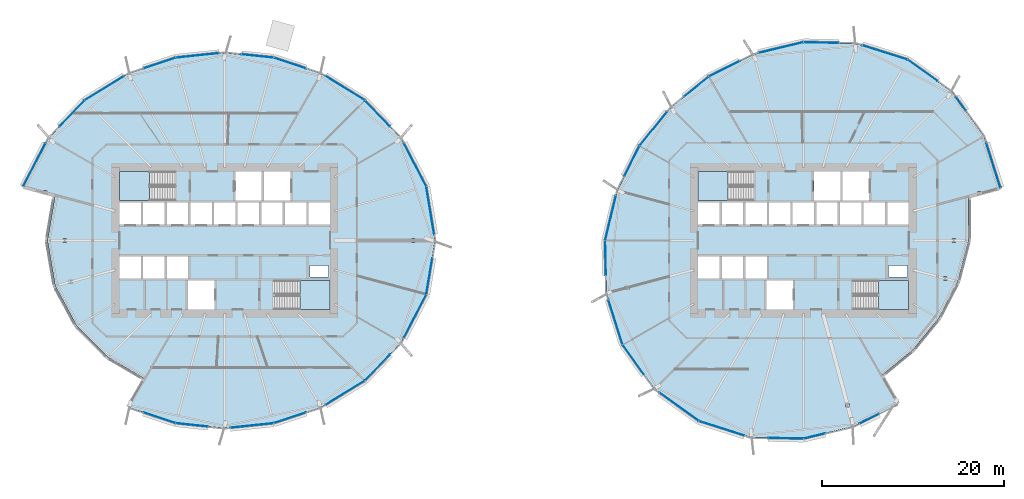
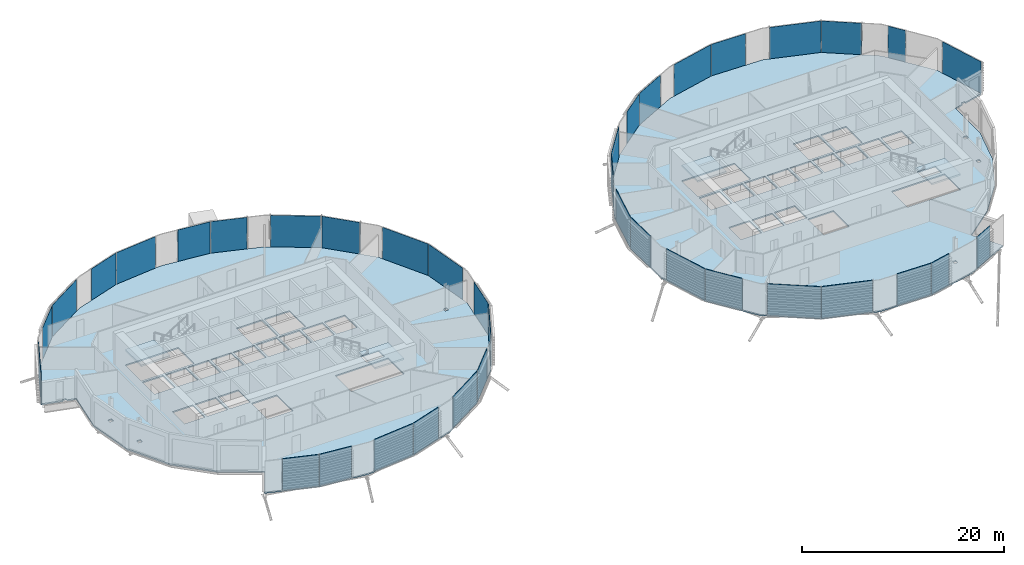
# One storey, part 20 of 38: 38 plates, 6 slabs, 6 elements without a shape of their own.
"""IFC4 building model written with IfcOpenShell, lengths in metres."""

from ifc_helpers import new_model, si_unit, direction, frame, origin, origin_2d, place, context, subcontext, project, spatial, polyline, rectangle, outline, extrude, material, layer, layer_set, type_object, element, aggregate, save


model = new_model("IFC4")

# Units and contexts
model_context = context("Model", 3, precision=1e-05, world=origin(), true_north=direction((0.0, 1.0)))
body_context = subcontext(model_context, "Body", "Model", "MODEL_VIEW")
ifc_project = project(units=[si_unit("LENGTHUNIT", "METRE"), si_unit("AREAUNIT", "SQUARE_METRE"), si_unit("VOLUMEUNIT", "CUBIC_METRE"), si_unit("PLANEANGLEUNIT", "RADIAN"), si_unit("MASSUNIT", "GRAM", prefix="KILO")], contexts=[model_context])

# Site, building, storey
site_placement = place(None, origin())
site = spatial("IfcSite", under=ifc_project, at=site_placement, CompositionType="ELEMENT")
building_placement = place(site_placement, origin())
building = spatial("IfcBuilding", under=site, at=building_placement, Name="Rimbun Link Towers", CompositionType="ELEMENT")
storey_placement = place(building_placement, frame((0.0, 0.0, 56.60009765625)))
storey = spatial("IfcBuildingStorey", under=building, at=storey_placement, Name="L13", CompositionType="ELEMENT", Elevation=56.60009765625)

# Slabs
ifc_material_1 = material(Name="Concrete C35/45", Category="concrete")
ifc_layer_1 = layer(ifc_material_1, 0.159912109375)
ifc_layer_set_1 = layer_set([ifc_layer_1], Name="COMPOSITE FLOOR 160")
slab_type_1 = type_object("IfcSlabType", Name="COMPOSITE FLOOR 160", PredefinedType="FLOOR", material=ifc_layer_set_1)
slab_1_placement = place(storey_placement, frame((0.0, 0.0, -0.16015625)))
element("IfcSlab", 1, at=slab_1_placement, inside=storey, type_object=slab_type_1, Name="Floor slab T1 L13", PredefinedType="FLOOR", context=body_context, shape_type="SweptSolid", body=[
    extrude(outline(polyline([(-53.847412109375, 5.9208984375), (-51.12353515625, 11.185302734375), (-47.115478515625, 15.365478515625), (-42.321044921875, 18.3095703125), (-37.117919921875, 20.03369140625), (-31.75, 20.59912109375), (-26.382080078125, 20.03369140625), (-21.178955078125, 18.3095703125), (-16.384521484375, 15.365478515625), (-12.37646484375, 11.185302734375), (-9.652587890625, 5.9208984375), (-8.678955078125, 0.0), (-9.652587890625, -5.9208984375), (-12.37646484375, -11.185302734375), (-16.384521484375, -15.365478515625), (-21.178955078125, -18.3095703125), (-26.382080078125, -20.03369140625), (-31.75, -20.59912109375), (-37.117919921875, -20.03369140625), (-42.321044921875, -18.3095703125), (-40.52099609375, -15.19189453125), (-44.570068359375, -12.820068359375), (-48.005859375, -9.38525390625), (-50.3701171875, -4.9892578125), (-51.220947265625, 0.0), (-50.3701171875, 4.9892578125), (-51.259033203125, 5.227294921875), (-51.259033203125, 5.477783203125), (-51.658203125, 5.477783203125), (-51.658203125, 5.33447265625), (-53.847412109375, 5.9208984375)]), holes=[polyline([(-32.89990234375, -7.550048828125), (-32.89990234375, -4.39990234375), (-35.800048828125, -4.39990234375), (-35.800048828125, -7.550048828125), (-32.89990234375, -7.550048828125)]), polyline([(-48.450927734375, -4.72509765625), (-48.450927734375, -4.33154296875), (-48.849853515625, -4.33154296875), (-48.849853515625, -4.72509765625), (-48.450927734375, -4.72509765625)]), polyline([(-40.95556640625, -4.14990234375), (-40.95556640625, -1.75), (-43.300048828125, -1.75), (-43.300048828125, -4.14990234375), (-40.95556640625, -4.14990234375)]), polyline([(-40.70556640625, -4.14990234375), (-38.361083984375, -4.14990234375), (-38.361083984375, -1.75), (-40.70556640625, -1.75), (-40.70556640625, -4.14990234375)]), polyline([(-38.111083984375, -4.14990234375), (-35.7666015625, -4.14990234375), (-35.7666015625, -1.75), (-38.111083984375, -1.75), (-38.111083984375, -4.14990234375)]), polyline([(-49.11279296875, -0.19677734375), (-49.11279296875, 0.19677734375), (-49.51171875, 0.19677734375), (-49.51171875, -0.19677734375), (-49.11279296875, -0.19677734375)]), polyline([(-43.300048828125, 1.75), (-40.95556640625, 1.75), (-40.95556640625, 4.14990234375), (-43.300048828125, 4.14990234375), (-43.300048828125, 1.75)]), polyline([(-40.70556640625, 1.75), (-38.361083984375, 1.75), (-38.361083984375, 4.14990234375), (-40.70556640625, 4.14990234375), (-40.70556640625, 1.75)]), polyline([(-35.7666015625, 1.75), (-35.7666015625, 4.14990234375), (-38.111083984375, 4.14990234375), (-38.111083984375, 1.75), (-35.7666015625, 1.75)]), polyline([(-43.300048828125, 4.39990234375), (-37.260009765625, 4.39990234375), (-37.260009765625, 7.550048828125), (-43.300048828125, 7.550048828125), (-43.300048828125, 4.39990234375)]), polyline([(-20.199951171875, -7.550048828125), (-20.199951171875, -4.39990234375), (-26.239990234375, -4.39990234375), (-26.239990234375, -7.550048828125), (-20.199951171875, -7.550048828125)]), polyline([(-22.394287109375, -4.0), (-20.35009765625, -4.0), (-20.35009765625, -2.75), (-22.394287109375, -2.75), (-22.394287109375, -4.0)]), polyline([(-10.85791015625, -0.19677734375), (-10.85791015625, 0.19677734375), (-11.2568359375, 0.19677734375), (-11.2568359375, -0.19677734375), (-10.85791015625, -0.19677734375)]), polyline([(-35.5166015625, 1.75), (-33.172119140625, 1.75), (-33.172119140625, 4.14990234375), (-35.5166015625, 4.14990234375), (-35.5166015625, 1.75)]), polyline([(-32.922119140625, 1.75), (-30.577880859375, 1.75), (-30.577880859375, 4.14990234375), (-32.922119140625, 4.14990234375), (-32.922119140625, 1.75)]), polyline([(-27.9833984375, 1.75), (-27.9833984375, 4.14990234375), (-30.327880859375, 4.14990234375), (-30.327880859375, 1.75), (-27.9833984375, 1.75)]), polyline([(-27.7333984375, 1.75), (-25.388916015625, 1.75), (-25.388916015625, 4.14990234375), (-27.7333984375, 4.14990234375), (-27.7333984375, 1.75)]), polyline([(-25.138916015625, 1.75), (-22.79443359375, 1.75), (-22.79443359375, 4.14990234375), (-25.138916015625, 4.14990234375), (-25.138916015625, 1.75)]), polyline([(-20.199951171875, 1.75), (-20.199951171875, 4.14990234375), (-22.54443359375, 4.14990234375), (-22.54443359375, 1.75), (-20.199951171875, 1.75)]), polyline([(-30.60009765625, 4.39990234375), (-27.699951171875, 4.39990234375), (-27.699951171875, 7.550048828125), (-30.60009765625, 7.550048828125), (-30.60009765625, 4.39990234375)]), polyline([(-27.449951171875, 4.39990234375), (-24.550048828125, 4.39990234375), (-24.550048828125, 7.550048828125), (-27.449951171875, 7.550048828125), (-27.449951171875, 4.39990234375)])]), origin(), (0.0, 0.0, 1.0), 0.16015625),
])
slab_2_placement = place(storey_placement, frame((0.0, 0.0, -0.16015625)))
element("IfcSlab", 2, at=slab_2_placement, inside=storey, type_object=slab_type_1, Name="Floor slab T2 L13", PredefinedType="FLOOR", context=body_context, shape_type="SweptSolid", body=[
    extrude(outline(polyline([(49.880859375, 4.858154296875), (49.88037109375, 0.0), (48.6943359375, -4.540283203125), (46.593994140625, -8.5703125), (43.770263671875, -12.020263671875), (40.3203125, -14.843994140625), (42.1201171875, -17.961669921875), (37.221923828125, -20.421630859375), (31.75, -21.730224609375), (25.960205078125, -21.6083984375), (20.3115234375, -19.81201171875), (15.436279296875, -16.313720703125), (11.93798828125, -11.4384765625), (10.1416015625, -5.789794921875), (10.019775390625, 0.0), (11.328369140625, 5.471923828125), (13.788330078125, 10.3701171875), (17.184326171875, 14.565673828125), (21.3798828125, 17.961669921875), (26.278076171875, 20.421630859375), (31.75, 21.730224609375), (37.539794921875, 21.6083984375), (43.1884765625, 19.81201171875), (48.063720703125, 16.313720703125), (51.56201171875, 11.4384765625), (53.3583984375, 5.789794921875), (51.240234375, 5.222412109375), (51.240234375, 5.36572265625), (50.84130859375, 5.36572265625), (50.84130859375, 5.115478515625), (49.880859375, 4.858154296875)]), holes=[polyline([(30.60009765625, -7.550048828125), (30.60009765625, -4.39990234375), (27.699951171875, -4.39990234375), (27.699951171875, -7.550048828125), (30.60009765625, -7.550048828125)]), polyline([(12.59130859375, -5.3837890625), (12.59130859375, -4.990234375), (12.1923828125, -4.990234375), (12.1923828125, -5.3837890625), (12.59130859375, -5.3837890625)]), polyline([(22.54443359375, -4.14990234375), (22.54443359375, -1.75), (20.199951171875, -1.75), (20.199951171875, -4.14990234375), (22.54443359375, -4.14990234375)]), polyline([(22.79443359375, -4.14990234375), (25.138916015625, -4.14990234375), (25.138916015625, -1.75), (22.79443359375, -1.75), (22.79443359375, -4.14990234375)]), polyline([(25.388916015625, -4.14990234375), (27.7333984375, -4.14990234375), (27.7333984375, -1.75), (25.388916015625, -1.75), (25.388916015625, -4.14990234375)]), polyline([(22.54443359375, 1.75), (22.54443359375, 4.14990234375), (20.199951171875, 4.14990234375), (20.199951171875, 1.75), (22.54443359375, 1.75)]), polyline([(22.79443359375, 1.75), (25.138916015625, 1.75), (25.138916015625, 4.14990234375), (22.79443359375, 4.14990234375), (22.79443359375, 1.75)]), polyline([(25.388916015625, 1.75), (27.7333984375, 1.75), (27.7333984375, 4.14990234375), (25.388916015625, 4.14990234375), (25.388916015625, 1.75)]), polyline([(30.327880859375, 1.75), (30.327880859375, 4.14990234375), (27.9833984375, 4.14990234375), (27.9833984375, 1.75), (30.327880859375, 1.75)]), polyline([(30.577880859375, 1.75), (32.922119140625, 1.75), (32.922119140625, 4.14990234375), (30.577880859375, 4.14990234375), (30.577880859375, 1.75)]), polyline([(33.172119140625, 1.75), (35.5166015625, 1.75), (35.5166015625, 4.14990234375), (33.172119140625, 4.14990234375), (33.172119140625, 1.75)]), polyline([(26.239990234375, 4.39990234375), (26.239990234375, 7.550048828125), (20.199951171875, 7.550048828125), (20.199951171875, 4.39990234375), (26.239990234375, 4.39990234375)]), polyline([(36.39453125, -18.27490234375), (36.79345703125, -18.27490234375), (36.79345703125, -17.88134765625), (36.39453125, -17.88134765625), (36.39453125, -18.27490234375)]), polyline([(37.260009765625, -7.550048828125), (43.300048828125, -7.550048828125), (43.300048828125, -4.39990234375), (37.260009765625, -4.39990234375), (37.260009765625, -7.550048828125)]), polyline([(47.509765625, -4.3662109375), (47.509765625, -3.972412109375), (47.110595703125, -3.972412109375), (47.110595703125, -4.3662109375), (47.509765625, -4.3662109375)]), polyline([(41.105712890625, -2.75), (41.105712890625, -4.0), (43.14990234375, -4.0), (43.14990234375, -2.75), (41.105712890625, -2.75)]), polyline([(48.03564453125, -0.19677734375), (48.434814453125, -0.19677734375), (48.434814453125, 0.19677734375), (48.03564453125, 0.19677734375), (48.03564453125, -0.19677734375)]), polyline([(38.111083984375, 1.75), (38.111083984375, 4.14990234375), (35.7666015625, 4.14990234375), (35.7666015625, 1.75), (38.111083984375, 1.75)]), polyline([(38.361083984375, 1.75), (40.70556640625, 1.75), (40.70556640625, 4.14990234375), (38.361083984375, 4.14990234375), (38.361083984375, 1.75)]), polyline([(40.95556640625, 1.75), (43.300048828125, 1.75), (43.300048828125, 4.14990234375), (40.95556640625, 4.14990234375), (40.95556640625, 1.75)]), polyline([(32.89990234375, 4.39990234375), (35.800048828125, 4.39990234375), (35.800048828125, 7.550048828125), (32.89990234375, 7.550048828125), (32.89990234375, 4.39990234375)]), polyline([(36.050048828125, 4.39990234375), (38.949951171875, 4.39990234375), (38.949951171875, 7.550048828125), (36.050048828125, 7.550048828125), (36.050048828125, 4.39990234375)])]), origin(), (0.0, 0.0, 1.0), 0.16015625),
])

# Curtain wall, plates
ifc_material_2 = material(Name="Aluminium 6063-T6 and low-iron glass", Category="aluminium")
curtain_wall_type = type_object("IfcCurtainWallType", Name="CW1 unitised vision wall", PredefinedType="NOTDEFINED", material=ifc_material_2)
curtain_wall_1_placement = place(storey_placement, origin())
curtain_wall_1 = element("IfcCurtainWall", 3, at=curtain_wall_1_placement, inside=storey, type_object=curtain_wall_type, Name="CW1 L13 T1", PredefinedType="NOTDEFINED")
ifc_material_3 = material(Name="Low-iron glass, laminated low-e unit", Category="glass")
ifc_layer_2 = layer(ifc_material_3, 0.028076171875)
ifc_layer_set_2 = layer_set([ifc_layer_2], Name="CW1 panel Low-iron glass 28")
plate_type = type_object("IfcPlateType", Name="CW1 panel Low-iron glass 28", PredefinedType="CURTAIN_PANEL", material=ifc_layer_set_2)
plate_1_placement = place(storey_placement, frame((-9.204833984375, 3.283447265625, 0.0), z_axis=(0.0, 0.0, 1.0), x_axis=(0.162269061749, -0.986746548815, 0.0)))
plate_1 = element("IfcPlate", 4, at=plate_1_placement, type_object=plate_type, Name="CW1 panel", PredefinedType="CURTAIN_PANEL", context=body_context, shape_type="SweptSolid", body=[
    extrude(rectangle(XDim=5.310546875, YDim=0.028076171875, at=origin_2d()), origin(), (0.0, 0.0, 1.0), 3.800048828125),
])
plate_2_placement = place(storey_placement, frame((-10.875732421875, 8.3154296875, 0.0), z_axis=(0.0, 0.0, 1.0), x_axis=(0.459540871589, -0.888156623203, 0.0)))
plate_2 = element("IfcPlate", 5, at=plate_2_placement, type_object=plate_type, Name="CW1 panel", PredefinedType="CURTAIN_PANEL", context=body_context, shape_type="SweptSolid", body=[
    extrude(rectangle(XDim=5.337158203125, YDim=0.028076171875, at=origin_2d()), origin(), (0.0, 0.0, 1.0), 3.800048828125),
])
plate_3_placement = place(storey_placement, frame((-14.9931640625, 13.934814453125, 0.0), z_axis=(0.0, 0.0, 1.0), x_axis=(0.692065488922, -0.721834717261, 0.0)))
plate_3 = element("IfcPlate", 6, at=plate_3_placement, type_object=plate_type, Name="CW1 panel", PredefinedType="CURTAIN_PANEL", context=body_context, shape_type="SweptSolid", body=[
    extrude(rectangle(XDim=3.951171875, YDim=0.028076171875, at=origin_2d()), origin(), (0.0, 0.0, 1.0), 3.800048828125),
])
plate_4_placement = place(storey_placement, frame((-18.5400390625, 16.70556640625, 0.0), z_axis=(0.0, 0.0, 1.0), x_axis=(0.852183322336, -0.523243332621, 0.0)))
plate_4 = element("IfcPlate", 7, at=plate_4_placement, type_object=plate_type, Name="CW1 panel", PredefinedType="CURTAIN_PANEL", context=body_context, shape_type="SweptSolid", body=[
    extrude(rectangle(XDim=5.0361328125, YDim=0.028076171875, at=origin_2d()), origin(), (0.0, 0.0, 1.0), 3.800048828125),
])
plate_5_placement = place(storey_placement, frame((-24.606689453125, 19.460205078125, 0.0), z_axis=(0.0, 0.0, 1.0), x_axis=(0.949236457235, -0.314563424855, 0.0)))
plate_5 = element("IfcPlate", 8, at=plate_5_placement, type_object=plate_type, Name="CW1 panel", PredefinedType="CURTAIN_PANEL", context=body_context, shape_type="SweptSolid", body=[
    extrude(rectangle(XDim=3.691162109375, YDim=0.028076171875, at=origin_2d()), origin(), (0.0, 0.0, 1.0), 3.800048828125),
])
plate_6_placement = place(storey_placement, frame((-28.14453125, 20.2333984375, 0.0), z_axis=(0.0, 0.0, 1.0), x_axis=(0.994498750915, -0.104748434017, 0.0)))
plate_6 = element("IfcPlate", 9, at=plate_6_placement, type_object=plate_type, Name="CW1 panel", PredefinedType="CURTAIN_PANEL", context=body_context, shape_type="SweptSolid", body=[
    extrude(rectangle(XDim=3.5078125, YDim=0.028076171875, at=origin_2d()), origin(), (0.0, 0.0, 1.0), 3.800048828125),
])
plate_7_placement = place(storey_placement, frame((-34.73388671875, 20.298828125, 0.0), z_axis=(0.0, 0.0, 1.0), x_axis=(0.994498750915, 0.104748434017, 0.0)))
plate_7 = element("IfcPlate", 10, at=plate_7_placement, type_object=plate_type, Name="CW1 panel", PredefinedType="CURTAIN_PANEL", context=body_context, shape_type="SweptSolid", body=[
    extrude(rectangle(XDim=4.7578125, YDim=0.028076171875, at=origin_2d()), origin(), (0.0, 0.0, 1.0), 3.800048828125),
])
plate_8_placement = place(storey_placement, frame((-38.893310546875, 19.460205078125, 0.0), z_axis=(0.0, 0.0, 1.0), x_axis=(0.949236457235, 0.314563424855, 0.0)))
plate_8 = element("IfcPlate", 11, at=plate_8_placement, type_object=plate_type, Name="CW1 panel", PredefinedType="CURTAIN_PANEL", context=body_context, shape_type="SweptSolid", body=[
    extrude(rectangle(XDim=3.691162109375, YDim=0.028076171875, at=origin_2d()), origin(), (0.0, 0.0, 1.0), 3.800048828125),
])
plate_9_placement = place(storey_placement, frame((-44.9599609375, 16.70556640625, 0.0), z_axis=(0.0, 0.0, 1.0), x_axis=(0.852183322336, 0.523243332621, 0.0)))
plate_9 = element("IfcPlate", 12, at=plate_9_placement, type_object=plate_type, Name="CW1 panel", PredefinedType="CURTAIN_PANEL", context=body_context, shape_type="SweptSolid", body=[
    extrude(rectangle(XDim=5.0361328125, YDim=0.028076171875, at=origin_2d()), origin(), (0.0, 0.0, 1.0), 3.800048828125),
])
plate_10_placement = place(storey_placement, frame((-48.5068359375, 13.934814453125, 0.0), z_axis=(0.0, 0.0, 1.0), x_axis=(0.692065488922, 0.721834717261, 0.0)))
plate_10 = element("IfcPlate", 13, at=plate_10_placement, type_object=plate_type, Name="CW1 panel", PredefinedType="CURTAIN_PANEL", context=body_context, shape_type="SweptSolid", body=[
    extrude(rectangle(XDim=3.951171875, YDim=0.028076171875, at=origin_2d()), origin(), (0.0, 0.0, 1.0), 3.800048828125),
])
plate_11_placement = place(storey_placement, frame((-52.6357421875, 8.293212890625, 0.0), z_axis=(0.0, 0.0, 1.0), x_axis=(0.459540871589, 0.888156623203, 0.0)))
plate_11 = element("IfcPlate", 14, at=plate_11_placement, type_object=plate_type, Name="CW1 panel", PredefinedType="CURTAIN_PANEL", context=body_context, shape_type="SweptSolid", body=[
    extrude(rectangle(XDim=5.287109375, YDim=0.028076171875, at=origin_2d()), origin(), (0.0, 0.0, 1.0), 3.800048828125),
])
plate_12_placement = place(storey_placement, frame((-38.893310546875, -19.460205078125, 0.0), z_axis=(0.0, 0.0, 1.0), x_axis=(-0.949236457235, 0.314563424855, 0.0)))
plate_12 = element("IfcPlate", 15, at=plate_12_placement, type_object=plate_type, Name="CW1 panel", PredefinedType="CURTAIN_PANEL", context=body_context, shape_type="SweptSolid", body=[
    extrude(rectangle(XDim=3.691162109375, YDim=0.028076171875, at=origin_2d()), origin(), (0.0, 0.0, 1.0), 3.800048828125),
])
plate_13_placement = place(storey_placement, frame((-35.35546875, -20.2333984375, 0.0), z_axis=(0.0, 0.0, 1.0), x_axis=(-0.994498750915, 0.104748434017, 0.0)))
plate_13 = element("IfcPlate", 16, at=plate_13_placement, type_object=plate_type, Name="CW1 panel", PredefinedType="CURTAIN_PANEL", context=body_context, shape_type="SweptSolid", body=[
    extrude(rectangle(XDim=3.5078125, YDim=0.028076171875, at=origin_2d()), origin(), (0.0, 0.0, 1.0), 3.800048828125),
])
plate_14_placement = place(storey_placement, frame((-28.76611328125, -20.298828125, 0.0), z_axis=(0.0, 0.0, 1.0), x_axis=(-0.994498750915, -0.104748434017, 0.0)))
plate_14 = element("IfcPlate", 17, at=plate_14_placement, type_object=plate_type, Name="CW1 panel", PredefinedType="CURTAIN_PANEL", context=body_context, shape_type="SweptSolid", body=[
    extrude(rectangle(XDim=4.7578125, YDim=0.028076171875, at=origin_2d()), origin(), (0.0, 0.0, 1.0), 3.800048828125),
])
plate_15_placement = place(storey_placement, frame((-24.606689453125, -19.460205078125, 0.0), z_axis=(0.0, 0.0, 1.0), x_axis=(-0.949236457235, -0.314563424855, 0.0)))
plate_15 = element("IfcPlate", 18, at=plate_15_placement, type_object=plate_type, Name="CW1 panel", PredefinedType="CURTAIN_PANEL", context=body_context, shape_type="SweptSolid", body=[
    extrude(rectangle(XDim=3.691162109375, YDim=0.028076171875, at=origin_2d()), origin(), (0.0, 0.0, 1.0), 3.800048828125),
])
plate_16_placement = place(storey_placement, frame((-18.5400390625, -16.70556640625, 0.0), z_axis=(0.0, 0.0, 1.0), x_axis=(-0.852183322336, -0.523243332621, 0.0)))
plate_16 = element("IfcPlate", 19, at=plate_16_placement, type_object=plate_type, Name="CW1 panel", PredefinedType="CURTAIN_PANEL", context=body_context, shape_type="SweptSolid", body=[
    extrude(rectangle(XDim=5.0361328125, YDim=0.028076171875, at=origin_2d()), origin(), (0.0, 0.0, 1.0), 3.800048828125),
])
plate_17_placement = place(storey_placement, frame((-14.9931640625, -13.934814453125, 0.0), z_axis=(0.0, 0.0, 1.0), x_axis=(-0.692065488922, -0.721834717261, 0.0)))
plate_17 = element("IfcPlate", 20, at=plate_17_placement, type_object=plate_type, Name="CW1 panel", PredefinedType="CURTAIN_PANEL", context=body_context, shape_type="SweptSolid", body=[
    extrude(rectangle(XDim=3.951171875, YDim=0.028076171875, at=origin_2d()), origin(), (0.0, 0.0, 1.0), 3.800048828125),
])
plate_18_placement = place(storey_placement, frame((-10.875732421875, -8.3154296875, 0.0), z_axis=(0.0, 0.0, 1.0), x_axis=(-0.459540871589, -0.888156623203, 0.0)))
plate_18 = element("IfcPlate", 21, at=plate_18_placement, type_object=plate_type, Name="CW1 panel", PredefinedType="CURTAIN_PANEL", context=body_context, shape_type="SweptSolid", body=[
    extrude(rectangle(XDim=5.337158203125, YDim=0.028076171875, at=origin_2d()), origin(), (0.0, 0.0, 1.0), 3.800048828125),
])
plate_19_placement = place(storey_placement, frame((-9.310302734375, -3.9248046875, 0.0), z_axis=(0.0, 0.0, 1.0), x_axis=(-0.162269061749, -0.986746548815, 0.0)))
plate_19 = element("IfcPlate", 22, at=plate_19_placement, type_object=plate_type, Name="CW1 panel", PredefinedType="CURTAIN_PANEL", context=body_context, shape_type="SweptSolid", body=[
    extrude(rectangle(XDim=4.010498046875, YDim=0.028076171875, at=origin_2d()), origin(), (0.0, 0.0, 1.0), 3.800048828125),
])
aggregate(curtain_wall_1, [plate_1, plate_2, plate_3, plate_4, plate_5, plate_6, plate_7, plate_8, plate_9, plate_10, plate_11, plate_12, plate_13, plate_14, plate_15, plate_16, plate_17, plate_18, plate_19])

curtain_wall_2_placement = place(storey_placement, origin())
curtain_wall_2 = element("IfcCurtainWall", 23, at=curtain_wall_2_placement, inside=storey, type_object=curtain_wall_type, Name="CW1 L13 T2", PredefinedType="NOTDEFINED")
plate_20_placement = place(storey_placement, frame((44.842041015625, 18.642578125, 0.0), z_axis=(0.0, 0.0, 1.0), x_axis=(0.812469264421, -0.583004026034, 0.0)))
plate_20 = element("IfcPlate", 24, at=plate_20_placement, type_object=plate_type, Name="CW1 panel", PredefinedType="CURTAIN_PANEL", context=body_context, shape_type="SweptSolid", body=[
    extrude(rectangle(XDim=4.010498046875, YDim=0.028076171875, at=origin_2d()), origin(), (0.0, 0.0, 1.0), 3.800048828125),
])
plate_21_placement = place(storey_placement, frame((40.701904296875, 20.617431640625, 0.0), z_axis=(0.0, 0.0, 1.0), x_axis=(0.952967205153, -0.303073433186, 0.0)))
plate_21 = element("IfcPlate", 25, at=plate_21_placement, type_object=plate_type, Name="CW1 panel", PredefinedType="CURTAIN_PANEL", context=body_context, shape_type="SweptSolid", body=[
    extrude(rectangle(XDim=5.187255859375, YDim=0.028076171875, at=origin_2d()), origin(), (0.0, 0.0, 1.0), 3.800048828125),
])
plate_22_placement = place(storey_placement, frame((33.695556640625, 21.703369140625, 0.0), z_axis=(0.0, 0.0, 1.0), x_axis=(0.999778076675, -0.02106649948, 0.0)))
plate_22 = element("IfcPlate", 26, at=plate_22_placement, type_object=plate_type, Name="CW1 panel", PredefinedType="CURTAIN_PANEL", context=body_context, shape_type="SweptSolid", body=[
    extrude(rectangle(XDim=3.85107421875, YDim=0.028076171875, at=origin_2d()), origin(), (0.0, 0.0, 1.0), 3.800048828125),
])
plate_23_placement = place(storey_placement, frame((29.2783203125, 21.153564453125, 0.0), z_axis=(0.0, 0.0, 1.0), x_axis=(0.972571724543, 0.232603182737, 0.0)))
plate_23 = element("IfcPlate", 27, at=plate_23_placement, type_object=plate_type, Name="CW1 panel", PredefinedType="CURTAIN_PANEL", context=body_context, shape_type="SweptSolid", body=[
    extrude(rectangle(XDim=5.036376953125, YDim=0.028076171875, at=origin_2d()), origin(), (0.0, 0.0, 1.0), 3.800048828125),
])
plate_24_placement = place(storey_placement, frame((23.06298828125, 18.82275390625, 0.0), z_axis=(0.0, 0.0, 1.0), x_axis=(0.893637652343, 0.448789200311, 0.0)))
plate_24 = element("IfcPlate", 28, at=plate_24_placement, type_object=plate_type, Name="CW1 panel", PredefinedType="CURTAIN_PANEL", context=body_context, shape_type="SweptSolid", body=[
    extrude(rectangle(XDim=3.7412109375, YDim=0.028076171875, at=origin_2d()), origin(), (0.0, 0.0, 1.0), 3.800048828125),
])
plate_25_placement = place(storey_placement, frame((20.01171875, 16.872314453125, 0.0), z_axis=(0.0, 0.0, 1.0), x_axis=(0.777277227517, 0.62915825639, 0.0)))
plate_25 = element("IfcPlate", 29, at=plate_25_placement, type_object=plate_type, Name="CW1 panel", PredefinedType="CURTAIN_PANEL", context=body_context, shape_type="SweptSolid", body=[
    extrude(rectangle(XDim=3.457763671875, YDim=0.028076171875, at=origin_2d()), origin(), (0.0, 0.0, 1.0), 3.800048828125),
])
plate_26_placement = place(storey_placement, frame((15.28662109375, 12.24365234375, 0.0), z_axis=(0.0, 0.0, 1.0), x_axis=(0.62915825639, 0.777277227517, 0.0)))
plate_26 = element("IfcPlate", 30, at=plate_26_placement, type_object=plate_type, Name="CW1 panel", PredefinedType="CURTAIN_PANEL", context=body_context, shape_type="SweptSolid", body=[
    extrude(rectangle(XDim=4.757568359375, YDim=0.028076171875, at=origin_2d()), origin(), (0.0, 0.0, 1.0), 3.800048828125),
])
plate_27_placement = place(storey_placement, frame((12.9384765625, 8.709228515625, 0.0), z_axis=(0.0, 0.0, 1.0), x_axis=(0.448789200311, 0.893637652343, 0.0)))
plate_27 = element("IfcPlate", 31, at=plate_27_placement, type_object=plate_type, Name="CW1 panel", PredefinedType="CURTAIN_PANEL", context=body_context, shape_type="SweptSolid", body=[
    extrude(rectangle(XDim=3.691162109375, YDim=0.028076171875, at=origin_2d()), origin(), (0.0, 0.0, 1.0), 3.800048828125),
])
plate_28_placement = place(storey_placement, frame((10.596435546875, 2.4716796875, 0.0), z_axis=(0.0, 0.0, 1.0), x_axis=(0.232603182737, 0.972571724543, 0.0)))
plate_28 = element("IfcPlate", 32, at=plate_28_placement, type_object=plate_type, Name="CW1 panel", PredefinedType="CURTAIN_PANEL", context=body_context, shape_type="SweptSolid", body=[
    extrude(rectangle(XDim=5.036376953125, YDim=0.028076171875, at=origin_2d()), origin(), (0.0, 0.0, 1.0), 3.800048828125),
])
plate_29_placement = place(storey_placement, frame((10.046142578125, -1.92041015625, 0.0), z_axis=(0.0, 0.0, 1.0), x_axis=(-0.02106649948, 0.999778076675, 0.0)))
plate_29 = element("IfcPlate", 33, at=plate_29_placement, type_object=plate_type, Name="CW1 panel", PredefinedType="CURTAIN_PANEL", context=body_context, shape_type="SweptSolid", body=[
    extrude(rectangle(XDim=3.80126953125, YDim=0.028076171875, at=origin_2d()), origin(), (0.0, 0.0, 1.0), 3.800048828125),
])
plate_30_placement = place(storey_placement, frame((11.14013671875, -8.975830078125, 0.0), z_axis=(0.0, 0.0, 1.0), x_axis=(-0.303073433186, 0.952967205153, 0.0)))
plate_30 = element("IfcPlate", 34, at=plate_30_placement, type_object=plate_type, Name="CW1 panel", PredefinedType="CURTAIN_PANEL", context=body_context, shape_type="SweptSolid", body=[
    extrude(rectangle(XDim=5.13720703125, YDim=0.028076171875, at=origin_2d()), origin(), (0.0, 0.0, 1.0), 3.800048828125),
])
plate_31_placement = place(storey_placement, frame((13.107421875, -13.092041015625, 0.0), z_axis=(0.0, 0.0, 1.0), x_axis=(-0.583004026034, 0.812469264421, 0.0)))
plate_31 = element("IfcPlate", 35, at=plate_31_placement, type_object=plate_type, Name="CW1 panel", PredefinedType="CURTAIN_PANEL", context=body_context, shape_type="SweptSolid", body=[
    extrude(rectangle(XDim=4.010498046875, YDim=0.028076171875, at=origin_2d()), origin(), (0.0, 0.0, 1.0), 3.800048828125),
])
plate_32_placement = place(storey_placement, frame((18.1298828125, -18.263671875, 0.0), z_axis=(0.0, 0.0, 1.0), x_axis=(-0.812469264421, 0.583004026034, 0.0)))
plate_32 = element("IfcPlate", 36, at=plate_32_placement, type_object=plate_type, Name="CW1 panel", PredefinedType="CURTAIN_PANEL", context=body_context, shape_type="SweptSolid", body=[
    extrude(rectangle(XDim=5.310546875, YDim=0.028076171875, at=origin_2d()), origin(), (0.0, 0.0, 1.0), 3.800048828125),
])
plate_33_placement = place(storey_placement, frame((22.798095703125, -20.617431640625, 0.0), z_axis=(0.0, 0.0, 1.0), x_axis=(-0.952967205153, 0.303073433186, 0.0)))
plate_33 = element("IfcPlate", 37, at=plate_33_placement, type_object=plate_type, Name="CW1 panel", PredefinedType="CURTAIN_PANEL", context=body_context, shape_type="SweptSolid", body=[
    extrude(rectangle(XDim=5.187255859375, YDim=0.028076171875, at=origin_2d()), origin(), (0.0, 0.0, 1.0), 3.800048828125),
])
plate_34_placement = place(storey_placement, frame((29.804443359375, -21.703369140625, 0.0), z_axis=(0.0, 0.0, 1.0), x_axis=(-0.999778076675, 0.02106649948, 0.0)))
plate_34 = element("IfcPlate", 38, at=plate_34_placement, type_object=plate_type, Name="CW1 panel", PredefinedType="CURTAIN_PANEL", context=body_context, shape_type="SweptSolid", body=[
    extrude(rectangle(XDim=3.85107421875, YDim=0.028076171875, at=origin_2d()), origin(), (0.0, 0.0, 1.0), 3.800048828125),
])
plate_35_placement = place(storey_placement, frame((32.93310546875, -21.461669921875, 0.0), z_axis=(0.0, 0.0, 1.0), x_axis=(-0.972571724543, -0.232603182737, 0.0)))
plate_35 = element("IfcPlate", 39, at=plate_35_placement, type_object=plate_type, Name="CW1 panel", PredefinedType="CURTAIN_PANEL", context=body_context, shape_type="SweptSolid", body=[
    extrude(rectangle(XDim=2.38623046875, YDim=0.028076171875, at=origin_2d()), origin(), (0.0, 0.0, 1.0), 3.800048828125),
])
plate_36_placement = place(storey_placement, frame((38.96240234375, -19.563232421875, 0.0), z_axis=(0.0, 0.0, 1.0), x_axis=(-0.893637652343, -0.448789200311, 0.0)))
plate_36 = element("IfcPlate", 40, at=plate_36_placement, type_object=plate_type, Name="CW1 panel", PredefinedType="CURTAIN_PANEL", context=body_context, shape_type="SweptSolid", body=[
    extrude(rectangle(XDim=2.34130859375, YDim=0.028076171875, at=origin_2d()), origin(), (0.0, 0.0, 1.0), 3.800048828125),
])
plate_37_placement = place(storey_placement, frame((52.587158203125, 8.260986328125, 0.0), z_axis=(0.0, 0.0, 1.0), x_axis=(0.303073433186, -0.952967205153, 0.0)))
plate_37 = element("IfcPlate", 41, at=plate_37_placement, type_object=plate_type, Name="CW1 panel", PredefinedType="CURTAIN_PANEL", context=body_context, shape_type="SweptSolid", body=[
    extrude(rectangle(XDim=5.13720703125, YDim=0.028076171875, at=origin_2d()), origin(), (0.0, 0.0, 1.0), 3.800048828125),
])
plate_38_placement = place(storey_placement, frame((49.037109375, 14.98095703125, 0.0), z_axis=(0.0, 0.0, 1.0), x_axis=(0.583004026034, -0.812469264421, 0.0)))
plate_38 = element("IfcPlate", 42, at=plate_38_placement, type_object=plate_type, Name="CW1 panel", PredefinedType="CURTAIN_PANEL", context=body_context, shape_type="SweptSolid", body=[
    extrude(rectangle(XDim=1.8603515625, YDim=0.028076171875, at=origin_2d()), origin(), (0.0, 0.0, 1.0), 3.800048828125),
])
aggregate(curtain_wall_2, [plate_20, plate_21, plate_22, plate_23, plate_24, plate_25, plate_26, plate_27, plate_28, plate_29, plate_30, plate_31, plate_32, plate_33, plate_34, plate_35, plate_36, plate_37, plate_38])

# Stair, slab
ifc_material_4 = material(Name="Concrete C40/50", Category="concrete")
stair_type = type_object("IfcStairType", Name="Exit stair 3800 rise", PredefinedType="HALF_TURN_STAIR", material=ifc_material_4)
stair_1_placement = place(storey_placement, origin())
stair_1 = element("IfcStair", 43, at=stair_1_placement, inside=storey, type_object=stair_type, Name="L13 EXIT STAIR A", PredefinedType="HALF_TURN_STAIR")
ifc_material_5 = material(Name="Concrete C40/50", Category="concrete")
ifc_layer_3 = layer(ifc_material_5, 0.199951171875)
ifc_layer_set_3 = layer_set([ifc_layer_3], Name="Stair landing")
slab_type_2 = type_object("IfcSlabType", Name="Stair landing", PredefinedType="LANDING", material=ifc_layer_set_3)
slab_3_placement = place(storey_placement, frame((0.0, 0.0, 1.699951171875)))
slab_3 = element("IfcSlab", 44, at=slab_3_placement, type_object=slab_type_2, Name="ST1 landing 1", PredefinedType="LANDING", context=body_context, shape_type="SweptSolid", body=[
    extrude(outline(polyline([(-40.0, 7.550048828125), (-43.300048828125, 7.550048828125), (-43.300048828125, 4.39990234375), (-40.0, 4.39990234375), (-40.0, 7.550048828125)])), origin(), (0.0, 0.0, 1.0), 0.199951171875),
])
aggregate(stair_1, [slab_3])

stair_2_placement = place(storey_placement, origin())
stair_2 = element("IfcStair", 45, at=stair_2_placement, inside=storey, type_object=stair_type, Name="L13 EXIT STAIR B", PredefinedType="HALF_TURN_STAIR")
slab_4_placement = place(storey_placement, frame((0.0, 0.0, 1.699951171875)))
slab_4 = element("IfcSlab", 46, at=slab_4_placement, type_object=slab_type_2, Name="ST2 landing 1", PredefinedType="LANDING", context=body_context, shape_type="SweptSolid", body=[
    extrude(outline(polyline([(-23.5, -7.550048828125), (-20.199951171875, -7.550048828125), (-20.199951171875, -4.39990234375), (-23.5, -4.39990234375), (-23.5, -7.550048828125)])), origin(), (0.0, 0.0, 1.0), 0.199951171875),
])
aggregate(stair_2, [slab_4])

stair_3_placement = place(storey_placement, origin())
stair_3 = element("IfcStair", 47, at=stair_3_placement, inside=storey, type_object=stair_type, Name="L13 EXIT STAIR A", PredefinedType="HALF_TURN_STAIR")
slab_5_placement = place(storey_placement, frame((0.0, 0.0, 1.699951171875)))
slab_5 = element("IfcSlab", 48, at=slab_5_placement, type_object=slab_type_2, Name="ST3 landing 1", PredefinedType="LANDING", context=body_context, shape_type="SweptSolid", body=[
    extrude(outline(polyline([(23.5, 7.550048828125), (20.199951171875, 7.550048828125), (20.199951171875, 4.39990234375), (23.5, 4.39990234375), (23.5, 7.550048828125)])), origin(), (0.0, 0.0, 1.0), 0.199951171875),
])
aggregate(stair_3, [slab_5])

stair_4_placement = place(storey_placement, origin())
stair_4 = element("IfcStair", 49, at=stair_4_placement, inside=storey, type_object=stair_type, Name="L13 EXIT STAIR B", PredefinedType="HALF_TURN_STAIR")
slab_6_placement = place(storey_placement, frame((0.0, 0.0, 1.699951171875)))
slab_6 = element("IfcSlab", 50, at=slab_6_placement, type_object=slab_type_2, Name="ST4 landing 1", PredefinedType="LANDING", context=body_context, shape_type="SweptSolid", body=[
    extrude(outline(polyline([(40.0, -7.550048828125), (43.300048828125, -7.550048828125), (43.300048828125, -4.39990234375), (40.0, -4.39990234375), (40.0, -7.550048828125)])), origin(), (0.0, 0.0, 1.0), 0.199951171875),
])
aggregate(stair_4, [slab_6])

save(model, "model.ifc")
